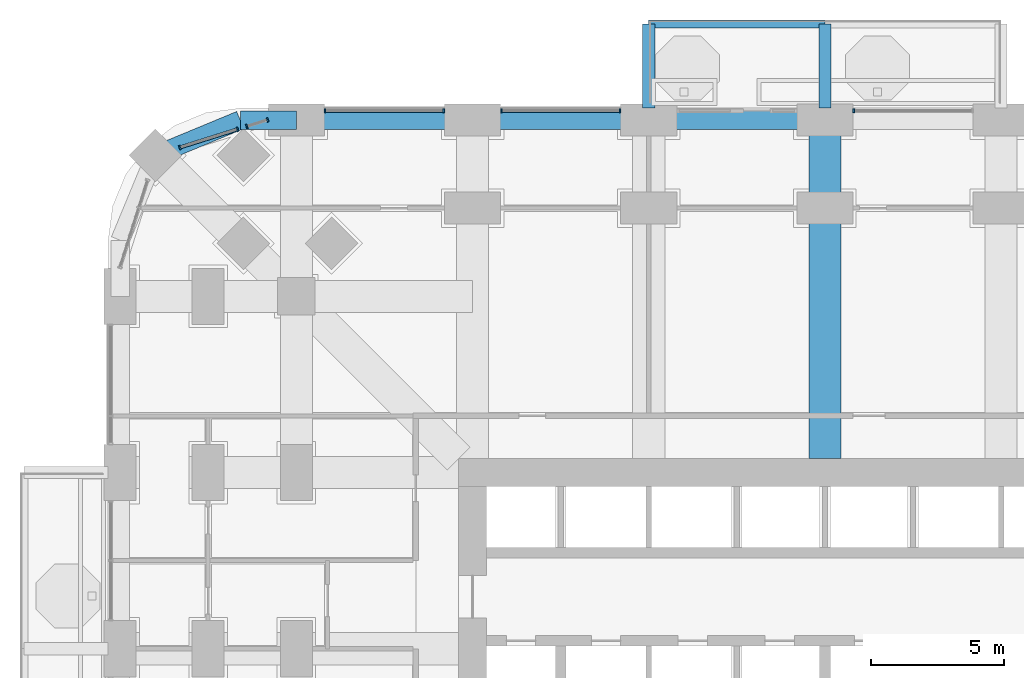
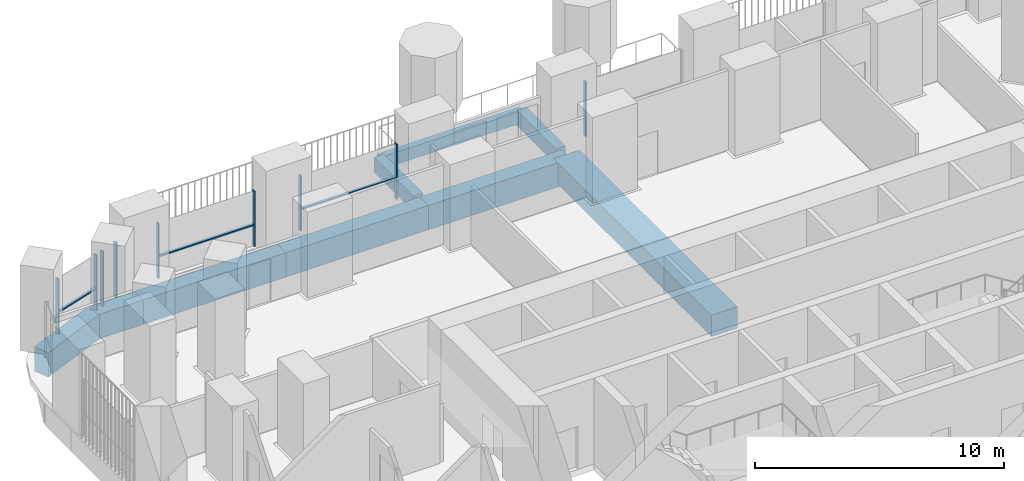
# One storey, part 7 of 26: 12 members, 9 beams, 5 elements without a shape of their own.
"""IFC4 building model written with IfcOpenShell, lengths in metres."""

from ifc_helpers import new_model, si_unit, direction, frame, origin, origin_2d, place, context, subcontext, project, spatial, rectangle, extrude, material, material_profile, profile_set, type_object, element, aggregate, save


model = new_model("IFC4")

# Units and contexts
model_context = context("Model", 3, precision=1e-05, world=origin(), true_north=direction((0.0, 1.0)))
body_context = subcontext(model_context, "Body", "Model", "MODEL_VIEW")
ifc_project = project(units=[si_unit("LENGTHUNIT", "METRE"), si_unit("AREAUNIT", "SQUARE_METRE"), si_unit("VOLUMEUNIT", "CUBIC_METRE"), si_unit("PLANEANGLEUNIT", "RADIAN"), si_unit("MASSUNIT", "GRAM", prefix="KILO")], contexts=[model_context])

# Site, building, storey
site_placement = place(None, origin())
site = spatial("IfcSite", under=ifc_project, at=site_placement, CompositionType="ELEMENT")
building_placement = place(site_placement, origin())
building = spatial("IfcBuilding", under=site, at=building_placement, Name="Cobogo Forest Laboratory Tower", CompositionType="ELEMENT")
storey_placement = place(building_placement, frame((0.0, 0.0, 42.300048828125)))
storey = spatial("IfcBuildingStorey", under=building, at=storey_placement, Name="L09", CompositionType="ELEMENT", Elevation=42.300048828125)

# Beams
ifc_material_1 = material(Name="Concrete HA-40 (C40/50)", Category="concrete")
ifc_material_profile_1 = material_profile(ifc_material_1, rectangle(XDim=0.449951171875, YDim=0.75, at=origin_2d()), Name="RC 450x750")
ifc_profile_set_1 = profile_set([ifc_material_profile_1], Name="Concrete HA-40 (C40/50)")
beam_type_1 = type_object("IfcBeamType", Name="Balcony cantilever beam 450x750", PredefinedType="BEAM", material=ifc_profile_set_1)
for number, where, z_axis, x_axis, name in (
    (1, (19.800048828125, 46.64990234375, -0.625), (0.0, 1.0, 0.0), (-1.0, 0.0, 0.0), "CB1 BAL-N1-C1 L09"),
    (2, (26.39990234375, 46.64990234375, -0.625), (0.0, 1.0, 0.0), (-1.0, 0.0, 0.0), "CB1 BAL-N1-C2 L09"),
):
    element("IfcBeam", number, at=place(storey_placement, frame(where, z_axis=z_axis, x_axis=x_axis)), inside=storey, type_object=beam_type_1, Name=name, PredefinedType="BEAM", context=body_context, shape_type="SweptSolid", body=[
        extrude(rectangle(XDim=0.449951171875, YDim=0.75, at=origin_2d()), origin(), (0.0, 0.0, 1.0), 3.150146484375),
    ])
ifc_material_profile_2 = material_profile(ifc_material_1, rectangle(XDim=0.300048828125, YDim=0.60009765625, at=origin_2d()), Name="RC 300x600")
ifc_profile_set_2 = profile_set([ifc_material_profile_2], Name="Concrete HA-40 (C40/50)")
beam_type_2 = type_object("IfcBeamType", Name="Balcony edge beam 300x600", PredefinedType="BEAM", material=ifc_profile_set_2)
beam_1_placement = place(storey_placement, frame((19.800048828125, 49.800048828125, -0.550048828125), z_axis=(1.0, 0.0, 0.0), x_axis=(0.0, 1.0, 0.0)))
element("IfcBeam", 3, at=beam_1_placement, inside=storey, type_object=beam_type_2, Name="BB1 BAL-N1-T1 L09", PredefinedType="BEAM", context=body_context, shape_type="SweptSolid", body=[
    extrude(rectangle(XDim=0.300048828125, YDim=0.60009765625, at=origin_2d()), origin(), (0.0, 0.0, 1.0), 6.599853515625),
])
ifc_material_profile_3 = material_profile(ifc_material_1, rectangle(XDim=1.199951171875, YDim=1.050048828125, at=origin_2d()), Name="RC 1200x1050")
ifc_profile_set_3 = profile_set([ifc_material_profile_3], Name="Concrete HA-40 (C40/50)")
beam_type_3 = type_object("IfcBeamType", Name="Laboratory floor wide beam 1200x1050", PredefinedType="BEAM", material=ifc_profile_set_3)
beam_2_placement = place(storey_placement, frame((26.39990234375, 33.52490234375, -0.824951171875), z_axis=(0.0, 1.0, 0.0), x_axis=(-1.0, 0.0, 0.0)))
element("IfcBeam", 4, at=beam_2_placement, inside=storey, type_object=beam_type_3, Name="RB1 R-5-N L09", PredefinedType="BEAM", context=body_context, shape_type="SweptSolid", body=[
    extrude(rectangle(XDim=1.199951171875, YDim=1.050048828125, at=origin_2d()), origin(), (0.0, 0.0, 1.0), 12.675048828125),
])

# Curtain wall, member
ifc_material_2 = material(Name="Aluminium curtain wall", Category="aluminium")
curtain_wall_type = type_object("IfcCurtainWallType", Name="CW-1 unitised curtain wall, clear glazing, laboratory floors zones A and B", PredefinedType="USERDEFINED", material=ifc_material_2)
curtain_wall_1_placement = place(storey_placement, origin())
curtain_wall_1 = element("IfcCurtainWall", 5, at=curtain_wall_1_placement, inside=storey, type_object=curtain_wall_type, Name="Curtain wall 20 L09", ObjectType="UNITISED CURTAIN WALL", PredefinedType="USERDEFINED")
ifc_material_3 = material(Name="Aluminium mullion", Category="aluminium")
ifc_material_profile_4 = material_profile(ifc_material_3, rectangle(XDim=0.06005859375, YDim=0.159912109375, at=origin_2d()), Name="AL 60x160")
ifc_profile_set_4 = profile_set([ifc_material_profile_4], Name="Aluminium mullion")
member_type_1 = type_object("IfcMemberType", Name="MU-1 aluminium mullion 60x160", PredefinedType="MULLION", material=ifc_profile_set_4)
member_1_placement = place(storey_placement, frame((27.47998046875, 46.550048828125, 0.0), z_axis=(0.0, 0.0, 1.0), x_axis=(-1.0, 0.0, 0.0)))
member_1 = element("IfcMember", 6, at=member_1_placement, type_object=member_type_1, Name="CW-1 mullion 2", PredefinedType="MULLION", context=body_context, shape_type="SweptSolid", body=[
    extrude(rectangle(XDim=0.06005859375, YDim=0.159912109375, at=origin_2d()), origin(), (0.0, 0.0, 1.0), 2.699951171875),
])
aggregate(curtain_wall_1, [member_1])

# Curtain wall, members
curtain_wall_2_placement = place(storey_placement, origin())
curtain_wall_2 = element("IfcCurtainWall", 7, at=curtain_wall_2_placement, inside=storey, type_object=curtain_wall_type, Name="Curtain wall 22 L09", ObjectType="UNITISED CURTAIN WALL", PredefinedType="USERDEFINED")
member_2_placement = place(storey_placement, frame((18.719970703125, 46.550048828125, 0.0), z_axis=(0.0, 0.0, 1.0), x_axis=(-1.0, 0.0, 0.0)))
member_2 = element("IfcMember", 8, at=member_2_placement, type_object=member_type_1, Name="CW-1 mullion 1", PredefinedType="MULLION", context=body_context, shape_type="SweptSolid", body=[
    extrude(rectangle(XDim=0.06005859375, YDim=0.159912109375, at=origin_2d()), origin(), (0.0, 0.0, 1.0), 2.699951171875),
])
member_3_placement = place(storey_placement, frame((14.280029296875, 46.550048828125, 0.0), z_axis=(0.0, 0.0, 1.0), x_axis=(-1.0, 0.0, 0.0)))
member_3 = element("IfcMember", 9, at=member_3_placement, type_object=member_type_1, Name="CW-1 mullion 2", PredefinedType="MULLION", context=body_context, shape_type="SweptSolid", body=[
    extrude(rectangle(XDim=0.06005859375, YDim=0.159912109375, at=origin_2d()), origin(), (0.0, 0.0, 1.0), 2.699951171875),
])

curtain_wall_3_placement = place(storey_placement, origin())
curtain_wall_3 = element("IfcCurtainWall", 10, at=curtain_wall_3_placement, inside=storey, type_object=curtain_wall_type, Name="Curtain wall 23 L09", ObjectType="UNITISED CURTAIN WALL", PredefinedType="USERDEFINED")
member_4_placement = place(storey_placement, frame((12.1201171875, 46.550048828125, 0.0), z_axis=(0.0, 0.0, 1.0), x_axis=(-1.0, 0.0, 0.0)))
member_4 = element("IfcMember", 11, at=member_4_placement, type_object=member_type_1, Name="CW-1 mullion 1", PredefinedType="MULLION", context=body_context, shape_type="SweptSolid", body=[
    extrude(rectangle(XDim=0.06005859375, YDim=0.159912109375, at=origin_2d()), origin(), (0.0, 0.0, 1.0), 2.699951171875),
])
member_5_placement = place(storey_placement, frame((7.679931640625, 46.550048828125, 0.0), z_axis=(0.0, 0.0, 1.0), x_axis=(-1.0, 0.0, 0.0)))
member_5 = element("IfcMember", 12, at=member_5_placement, type_object=member_type_1, Name="CW-1 mullion 2", PredefinedType="MULLION", context=body_context, shape_type="SweptSolid", body=[
    extrude(rectangle(XDim=0.06005859375, YDim=0.159912109375, at=origin_2d()), origin(), (0.0, 0.0, 1.0), 2.699951171875),
])

curtain_wall_4_placement = place(storey_placement, origin())
curtain_wall_4 = element("IfcCurtainWall", 13, at=curtain_wall_4_placement, inside=storey, type_object=curtain_wall_type, Name="Curtain wall 24 L09", ObjectType="UNITISED CURTAIN WALL", PredefinedType="USERDEFINED")
member_6_placement = place(storey_placement, frame((5.521484375, 46.20947265625, 0.0), z_axis=(0.0, 0.0, 1.0), x_axis=(-0.953581504428, -0.301135043481, 0.0)))
member_6 = element("IfcMember", 14, at=member_6_placement, type_object=member_type_1, Name="CW-1 mullion 1", PredefinedType="MULLION", context=body_context, shape_type="SweptSolid", body=[
    extrude(rectangle(XDim=0.06005859375, YDim=0.159912109375, at=origin_2d()), origin(), (0.0, 0.0, 1.0), 2.699951171875),
])
member_7_placement = place(storey_placement, frame((4.74658203125, 45.96484375, 0.0), z_axis=(0.0, 0.0, 1.0), x_axis=(-0.953581504428, -0.301135043481, 0.0)))
member_7 = element("IfcMember", 15, at=member_7_placement, type_object=member_type_1, Name="CW-1 mullion 2", PredefinedType="MULLION", context=body_context, shape_type="SweptSolid", body=[
    extrude(rectangle(XDim=0.06005859375, YDim=0.159912109375, at=origin_2d()), origin(), (0.0, 0.0, 1.0), 2.699951171875),
])
aggregate(curtain_wall_4, [member_6, member_7])

curtain_wall_5_placement = place(storey_placement, origin())
curtain_wall_5 = element("IfcCurtainWall", 16, at=curtain_wall_5_placement, inside=storey, type_object=curtain_wall_type, Name="Curtain wall 25 L09", ObjectType="UNITISED CURTAIN WALL", PredefinedType="USERDEFINED")
member_8_placement = place(storey_placement, frame((4.39697265625, 45.854248046875, 0.0), z_axis=(0.0, 0.0, 1.0), x_axis=(-0.953581409645, -0.301135343623, 0.0)))
member_8 = element("IfcMember", 17, at=member_8_placement, type_object=member_type_1, Name="CW-1 mullion 1", PredefinedType="MULLION", context=body_context, shape_type="SweptSolid", body=[
    extrude(rectangle(XDim=0.06005859375, YDim=0.159912109375, at=origin_2d()), origin(), (0.0, 0.0, 1.0), 2.699951171875),
])
member_9_placement = place(storey_placement, frame((2.23876953125, 45.1728515625, 0.0), z_axis=(0.0, 0.0, 1.0), x_axis=(-0.953581409645, -0.301135343623, 0.0)))
member_9 = element("IfcMember", 18, at=member_9_placement, type_object=member_type_1, Name="CW-1 mullion 2", PredefinedType="MULLION", context=body_context, shape_type="SweptSolid", body=[
    extrude(rectangle(XDim=0.06005859375, YDim=0.159912109375, at=origin_2d()), origin(), (0.0, 0.0, 1.0), 2.699951171875),
])

# Beams
ifc_material_profile_5 = material_profile(ifc_material_1, rectangle(XDim=0.699951171875, YDim=1.199951171875, at=origin_2d()), Name="RC 700x1200")
ifc_profile_set_5 = profile_set([ifc_material_profile_5], Name="Concrete HA-40 (C40/50)")
beam_type_4 = type_object("IfcBeamType", Name="Perimeter edge beam 700x1200", PredefinedType="BEAM", material=ifc_profile_set_5)
beam_3_placement = place(storey_placement, frame((6.60009765625, 46.199951171875, -0.900146484375), z_axis=(1.0, 0.0, 0.0), x_axis=(0.0, 1.0, 0.0)))
element("IfcBeam", 19, at=beam_3_placement, inside=storey, type_object=beam_type_4, Name="EB1 E-N1 L09", PredefinedType="BEAM", context=body_context, shape_type="SweptSolid", body=[
    extrude(rectangle(XDim=0.699951171875, YDim=1.199951171875, at=origin_2d()), origin(), (0.0, 0.0, 1.0), 6.599853515625),
])
beam_4_placement = place(storey_placement, frame((13.199951171875, 46.199951171875, -0.900146484375), z_axis=(1.0, 0.0, 0.0), x_axis=(0.0, 1.0, 0.0)))
element("IfcBeam", 20, at=beam_4_placement, inside=storey, type_object=beam_type_4, Name="EB1 E-N2 L09", PredefinedType="BEAM", context=body_context, shape_type="SweptSolid", body=[
    extrude(rectangle(XDim=0.699951171875, YDim=1.199951171875, at=origin_2d()), origin(), (0.0, 0.0, 1.0), 6.60009765625),
])
beam_5_placement = place(storey_placement, frame((19.800048828125, 46.199951171875, -0.900146484375), z_axis=(1.0, 0.0, 0.0), x_axis=(0.0, 1.0, 0.0)))
element("IfcBeam", 21, at=beam_5_placement, inside=storey, type_object=beam_type_4, Name="EB1 E-N3 L09", PredefinedType="BEAM", context=body_context, shape_type="SweptSolid", body=[
    extrude(rectangle(XDim=0.699951171875, YDim=1.199951171875, at=origin_2d()), origin(), (0.0, 0.0, 1.0), 6.599853515625),
])
beam_6_placement = place(storey_placement, frame((6.60009765625, 46.199951171875, -0.900146484375), z_axis=(-1.0, 0.0, 0.0), x_axis=(0.0, -1.0, 0.0)))
element("IfcBeam", 22, at=beam_6_placement, inside=storey, type_object=beam_type_4, Name="EB1 E-NWN1 L09", PredefinedType="BEAM", context=body_context, shape_type="SweptSolid", body=[
    extrude(rectangle(XDim=0.699951171875, YDim=1.199951171875, at=origin_2d()), origin(), (0.0, 0.0, 1.0), 2.10009765625),
])
beam_7_placement = place(storey_placement, frame((4.5, 46.199951171875, -0.900146484375), z_axis=(-0.923890694089, -0.382656484822, 0.0), x_axis=(0.382656484822, -0.923890694089, 0.0)))
element("IfcBeam", 23, at=beam_7_placement, inside=storey, type_object=beam_type_4, Name="EB1 E-NWN2 L09", PredefinedType="BEAM", context=body_context, shape_type="SweptSolid", body=[
    extrude(rectangle(XDim=0.699951171875, YDim=1.199951171875, at=origin_2d()), origin(), (0.0, 0.0, 1.0), 3.444091796875),
])

# Member
ifc_material_4 = material(Name="Aluminium transom", Category="aluminium")
ifc_material_profile_6 = material_profile(ifc_material_4, rectangle(XDim=0.1201171875, YDim=0.06005859375, at=origin_2d()), Name="AL 60x120")
ifc_profile_set_6 = profile_set([ifc_material_profile_6], Name="Aluminium transom")
member_type_2 = type_object("IfcMemberType", Name="TR-1 aluminium transom 60x120", PredefinedType="USERDEFINED", material=ifc_profile_set_6)
member_10_placement = place(storey_placement, frame((18.68994140625, 46.550048828125, 1.050048828125), z_axis=(-1.0, 0.0, 0.0), x_axis=(0.0, -1.0, 0.0)))
member_10 = element("IfcMember", 24, at=member_10_placement, type_object=member_type_2, Name="CW-1 transom 1.1", ObjectType="TRANSOM", PredefinedType="USERDEFINED", context=body_context, shape_type="SweptSolid", body=[
    extrude(rectangle(XDim=0.1201171875, YDim=0.06005859375, at=origin_2d()), origin(), (0.0, 0.0, 1.0), 4.3798828125),
])

aggregate(curtain_wall_2, [member_2, member_3, member_10])

member_11_placement = place(storey_placement, frame((12.090087890625, 46.550048828125, 1.050048828125), z_axis=(-1.0, 0.0, 0.0), x_axis=(0.0, -1.0, 0.0)))
member_11 = element("IfcMember", 25, at=member_11_placement, type_object=member_type_2, Name="CW-1 transom 1.1", ObjectType="TRANSOM", PredefinedType="USERDEFINED", context=body_context, shape_type="SweptSolid", body=[
    extrude(rectangle(XDim=0.1201171875, YDim=0.06005859375, at=origin_2d()), origin(), (0.0, 0.0, 1.0), 4.380126953125),
])

aggregate(curtain_wall_3, [member_4, member_5, member_11])

member_12_placement = place(storey_placement, frame((4.368408203125, 45.84521484375, 1.050048828125), z_axis=(-0.953604433273, -0.301062426819, 0.0), x_axis=(0.301062426819, -0.953604433273, 0.0)))
member_12 = element("IfcMember", 26, at=member_12_placement, type_object=member_type_2, Name="CW-1 transom 1.1", ObjectType="TRANSOM", PredefinedType="USERDEFINED", context=body_context, shape_type="SweptSolid", body=[
    extrude(rectangle(XDim=0.1201171875, YDim=0.06005859375, at=origin_2d()), origin(), (0.0, 0.0, 1.0), 2.203369140625),
])

aggregate(curtain_wall_5, [member_8, member_9, member_12])

save(model, "model.ifc")
